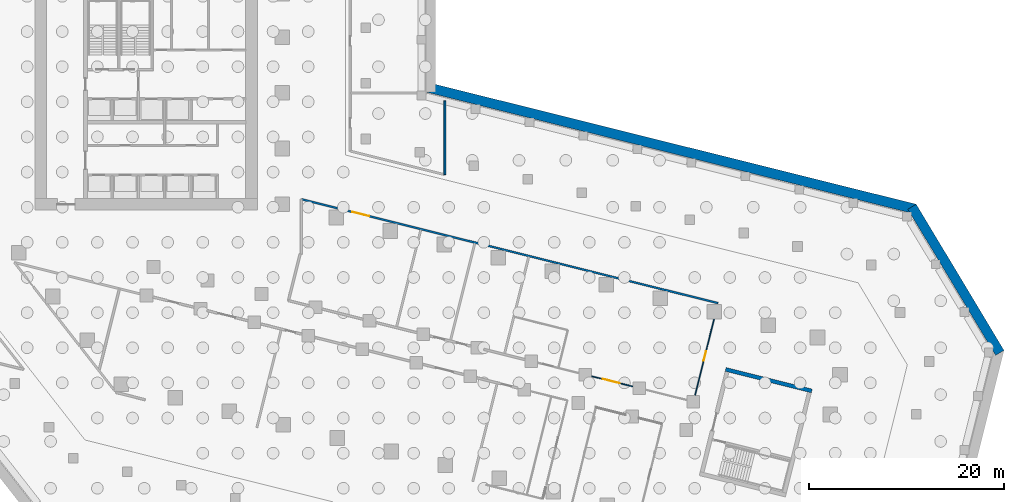
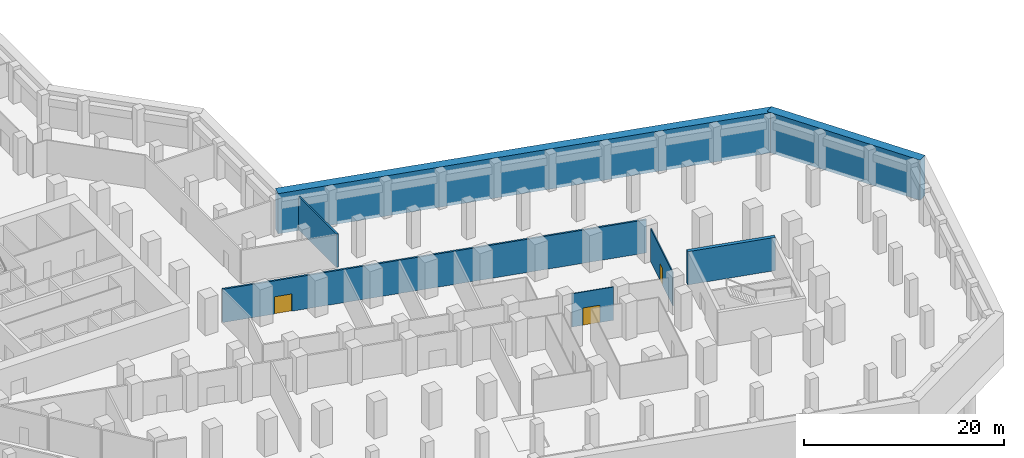
# One storey, part 9 of 15: 7 walls, 3 doors, 3 openings.
"""IFC4 building model written with IfcOpenShell, lengths in metres."""

from ifc_helpers import new_model, si_unit, direction, frame, frame_2d, origin, place, context, subcontext, project, spatial, rectangle, extrude, material, layer, layer_set, type_object, element, fill, save


model = new_model("IFC4")

# Units and contexts
model_context = context("Model", 3, precision=1e-05, world=origin(), true_north=direction((0.0, 1.0)))
body_context = subcontext(model_context, "Body", "Model", "MODEL_VIEW")
ifc_project = project(units=[si_unit("LENGTHUNIT", "METRE"), si_unit("AREAUNIT", "SQUARE_METRE"), si_unit("VOLUMEUNIT", "CUBIC_METRE"), si_unit("PLANEANGLEUNIT", "RADIAN"), si_unit("MASSUNIT", "GRAM", prefix="KILO")], contexts=[model_context])

# Site, building, storey
site_placement = place(None, origin())
site = spatial("IfcSite", under=ifc_project, at=site_placement, CompositionType="ELEMENT")
building_placement = place(site_placement, origin())
building = spatial("IfcBuilding", under=site, at=building_placement, Name="Meshkara Civic Tower", CompositionType="ELEMENT")
storey_placement = place(building_placement, frame((0.0, 0.0, -9.0)))
storey = spatial("IfcBuildingStorey", under=building, at=storey_placement, Name="B2", CompositionType="ELEMENT", Elevation=-9.0)

# Wall, opening, door
ifc_material_1 = material(Name="Corridor wall 100")
ifc_layer_1 = layer(ifc_material_1, 0.10009765625)
ifc_layer_set_1 = layer_set([ifc_layer_1], Name="Corridor wall 100")
wall_type_1 = type_object("IfcWallType", Name="Corridor wall 100", PredefinedType="PARTITIONING", material=ifc_layer_set_1)
wall_1_placement = place(storey_placement, frame((69.256103515625, -3.971923828125, 0.0), z_axis=(0.0, 0.0, 1.0), x_axis=(-0.970298563138, 0.241910517285, 0.0)))
wall_1 = element("IfcWall", 1, at=wall_1_placement, inside=storey, type_object=wall_type_1, Name="B2-R069", PredefinedType="PARTITIONING", context=body_context, shape_type="SweptSolid", body=[
    extrude(rectangle(XDim=4.3193359375, YDim=0.10009765625, at=frame_2d((2.15966796875, 0.0))), origin(), (0.0, 0.0, 1.0), 4.050048828125),
])
opening_1_placement = place(wall_1_placement, frame((1.3798828125, 0.0, 0.0)))
opening_1 = element("IfcOpeningElement", 2, at=opening_1_placement, cuts=wall_1, Name="Opening B2-P007", PredefinedType="OPENING", context=body_context, shape_type="SweptSolid", body=[
    extrude(rectangle(XDim=1.800048828125, YDim=2.10009765625, at=frame_2d((0.89990234375, 1.050048828125))), frame((0.0, 0.06005859375, 0.0), z_axis=(0.0, -1.0, 0.0), x_axis=(1.0, 0.0, 0.0)), (0.0, 0.0, 1.0), 0.1201171875),
])
ifc_material_2 = material(Name="Door pair 1800 x 2100")
door_type_1 = type_object("IfcDoorType", Name="Door pair 1800 x 2100", OperationType="SINGLE_SWING_LEFT", PredefinedType="DOOR", material=ifc_material_2)
door_1_placement = place(opening_1_placement, origin())
door_1 = element("IfcDoor", 3, at=door_1_placement, inside=storey, type_object=door_type_1, Name="B2-P007", OperationType="DOUBLE_DOOR_SINGLE_SWING", OverallHeight=2.10009765625, OverallWidth=1.800048828125, PredefinedType="DOOR", context=body_context, shape_type="SweptSolid", body=[
    extrude(rectangle(XDim=1.800048828125, YDim=2.10009765625, at=frame_2d((0.89990234375, 1.050048828125))), frame((0.0, 0.02490234375, 0.0), z_axis=(0.0, -1.0, 0.0), x_axis=(1.0, 0.0, 0.0)), (0.0, 0.0, 1.0), 0.050048828125),
])
fill(opening_1, door_1)

wall_2_placement = place(storey_placement, frame((77.5810546875, 2.9169921875, 0.0), z_axis=(0.0, 0.0, 1.0), x_axis=(-0.242040307875, -0.970266195105, 0.0)))
wall_2 = element("IfcWall", 4, at=wall_2_placement, inside=storey, type_object=wall_type_1, Name="B2-R074", PredefinedType="PARTITIONING", context=body_context, shape_type="SweptSolid", body=[
    extrude(rectangle(XDim=8.0029296875, YDim=0.10009765625, at=frame_2d((4.00146484375, 0.0))), origin(), (0.0, 0.0, 1.0), 4.050048828125),
])
opening_2_placement = place(wall_2_placement, frame((3.3798828125, 0.0, 0.0)))
opening_2 = element("IfcOpeningElement", 5, at=opening_2_placement, cuts=wall_2, Name="Opening B2-P008", PredefinedType="OPENING", context=body_context, shape_type="SweptSolid", body=[
    extrude(rectangle(XDim=1.0, YDim=2.10009765625, at=frame_2d((0.5, 1.050048828125))), frame((0.0, 0.06005859375, 0.0), z_axis=(0.0, -1.0, 0.0), x_axis=(1.0, 0.0, 0.0)), (0.0, 0.0, 1.0), 0.1201171875),
])
ifc_material_3 = material(Name="Door 1000 x 2100")
door_type_2 = type_object("IfcDoorType", Name="Door 1000 x 2100", OperationType="SINGLE_SWING_LEFT", PredefinedType="DOOR", material=ifc_material_3)
door_2_placement = place(opening_2_placement, origin())
door_2 = element("IfcDoor", 6, at=door_2_placement, inside=storey, type_object=door_type_2, Name="B2-P008", OperationType="SINGLE_SWING_LEFT", OverallHeight=2.10009765625, OverallWidth=1.0, PredefinedType="DOOR", context=body_context, shape_type="SweptSolid", body=[
    extrude(rectangle(XDim=1.0, YDim=2.10009765625, at=frame_2d((0.5, 1.050048828125))), frame((0.0, 0.02490234375, 0.0), z_axis=(0.0, -1.0, 0.0), x_axis=(1.0, 0.0, 0.0)), (0.0, 0.0, 1.0), 0.050048828125),
])
fill(opening_2, door_2)

# Walls
ifc_material_4 = material(Name="Concrete C50", Category="concrete")
ifc_layer_2 = layer(ifc_material_4, 1.0)
ifc_layer_set_2 = layer_set([ifc_layer_2], Name="Diaphragm wall 1000 C50")
wall_type_2 = type_object("IfcWallType", Name="Diaphragm wall 1000 C50", PredefinedType="SOLIDWALL", material=ifc_layer_set_2)
wall_3_placement = place(storey_placement, frame((48.1708984375, 26.689208984375, -0.39990234375), z_axis=(0.0, 0.0, 1.0), x_axis=(0.970293913122, -0.241929167647, 0.0)))
element("IfcWall", 7, at=wall_3_placement, inside=storey, type_object=wall_type_2, Name="Basement perimeter wall", PredefinedType="SOLIDWALL", context=body_context, shape_type="SweptSolid", body=[
    extrude(rectangle(XDim=51.53271484375, YDim=1.0, at=frame_2d((25.766357421875, 0.0))), origin(), (0.0, 0.0, 1.0), 4.89990234375),
])
wall_4_placement = place(storey_placement, frame((97.865234375, 14.449462890625, -0.39990234375), z_axis=(0.0, 0.0, 1.0), x_axis=(0.515103948809, -0.857127716225, 0.0)))
element("IfcWall", 8, at=wall_4_placement, inside=storey, type_object=wall_type_2, Name="Basement perimeter wall", PredefinedType="SOLIDWALL", context=body_context, shape_type="SweptSolid", body=[
    extrude(rectangle(XDim=17.4697265625, YDim=1.0, at=frame_2d((8.73486328125, 0.0))), origin(), (0.0, 0.0, 1.0), 4.89990234375),
])
ifc_material_5 = material(Name="Concrete C80", Category="concrete")
ifc_layer_3 = layer(ifc_material_5, 0.39990234375)
ifc_layer_set_3 = layer_set([ifc_layer_3], Name="End core ring wall 400 C80")
wall_type_3 = type_object("IfcWallType", Name="End core ring wall 400 C80", PredefinedType="SHEAR", material=ifc_layer_set_3)
wall_5_placement = place(storey_placement, frame((78.77197265625, -2.222900390625, 0.0), z_axis=(0.0, 0.0, 1.0), x_axis=(0.970306400786, -0.241879078453, 0.0)))
element("IfcWall", 9, at=wall_5_placement, inside=storey, type_object=wall_type_3, Name="B2-C032", PredefinedType="SHEAR", context=body_context, shape_type="SweptSolid", body=[
    extrude(rectangle(XDim=9.100341796875, YDim=0.39990234375, at=frame_2d((4.55029296875, 0.0))), origin(), (0.0, 0.0, 1.0), 4.050048828125),
])

# Wall, opening, door
ifc_material_6 = material(Name="Fire-rated wall 200")
ifc_layer_4 = layer(ifc_material_6, 0.199951171875)
ifc_layer_set_4 = layer_set([ifc_layer_4], Name="Fire-rated wall 200")
wall_type_4 = type_object("IfcWallType", Name="Fire-rated wall 200", PredefinedType="PARTITIONING", material=ifc_layer_set_4)
wall_6_placement = place(storey_placement, frame((35.300048828125, 15.212890625, 0.0), z_axis=(0.0, 0.0, 1.0), x_axis=(0.97028659585, -0.241958512796, 0.0)))
wall_6 = element("IfcWall", 10, at=wall_6_placement, inside=storey, type_object=wall_type_4, Name="B2-R048", PredefinedType="PARTITIONING", context=body_context, shape_type="SweptSolid", body=[
    extrude(rectangle(XDim=43.999267578125, YDim=0.199951171875, at=frame_2d((21.99951171875, 0.0))), origin(), (0.0, 0.0, 1.0), 4.050048828125),
])
opening_3_placement = place(wall_6_placement, frame((5.3798828125, 0.0, 0.0)))
opening_3 = element("IfcOpeningElement", 11, at=opening_3_placement, cuts=wall_6, Name="Opening B2-P015", PredefinedType="OPENING", context=body_context, shape_type="SweptSolid", body=[
    extrude(rectangle(XDim=1.800048828125, YDim=2.10009765625, at=frame_2d((0.89990234375, 1.050048828125))), frame((0.0, 0.10986328125, 0.0), z_axis=(0.0, -1.0, 0.0), x_axis=(1.0, 0.0, 0.0)), (0.0, 0.0, 1.0), 0.219970703125),
])
door_3_placement = place(opening_3_placement, origin())
door_3 = element("IfcDoor", 12, at=door_3_placement, inside=storey, type_object=door_type_1, Name="B2-P015", OperationType="DOUBLE_DOOR_SINGLE_SWING", OverallHeight=2.10009765625, OverallWidth=1.800048828125, PredefinedType="DOOR", context=body_context, shape_type="SweptSolid", body=[
    extrude(rectangle(XDim=1.800048828125, YDim=2.10009765625, at=frame_2d((0.89990234375, 1.050048828125))), frame((0.0, 0.02490234375, 0.0), z_axis=(0.0, -1.0, 0.0), x_axis=(1.0, 0.0, 0.0)), (0.0, 0.0, 1.0), 0.050048828125),
])
fill(opening_3, door_3)

# Wall
wall_7_placement = place(storey_placement, frame((50.0, 25.304931640625, 0.0), z_axis=(0.0, 0.0, 1.0), x_axis=(0.0, -1.0, 0.0)))
element("IfcWall", 13, at=wall_7_placement, inside=storey, type_object=wall_type_4, Name="B2-R059", PredefinedType="PARTITIONING", context=body_context, shape_type="SweptSolid", body=[
    extrude(rectangle(XDim=7.573974609375, YDim=0.199951171875, at=frame_2d((3.787109375, 0.0))), origin(), (0.0, 0.0, 1.0), 4.050048828125),
])

save(model, "model.ifc")
